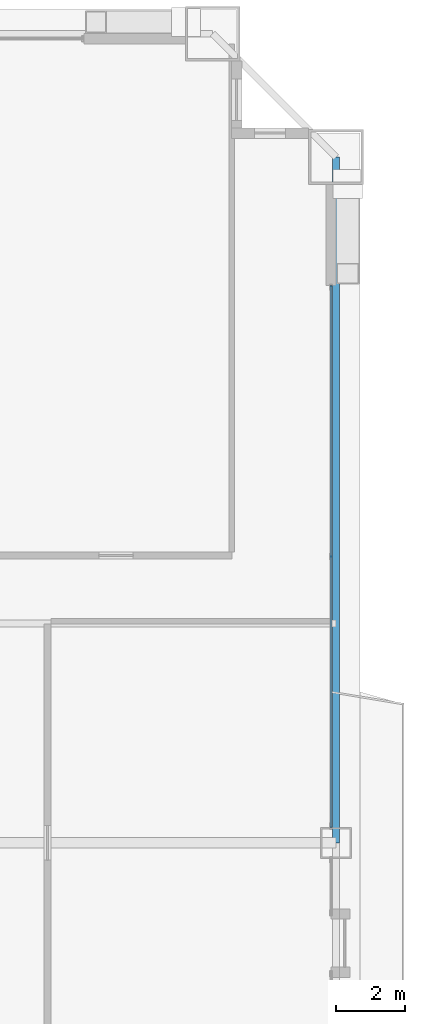
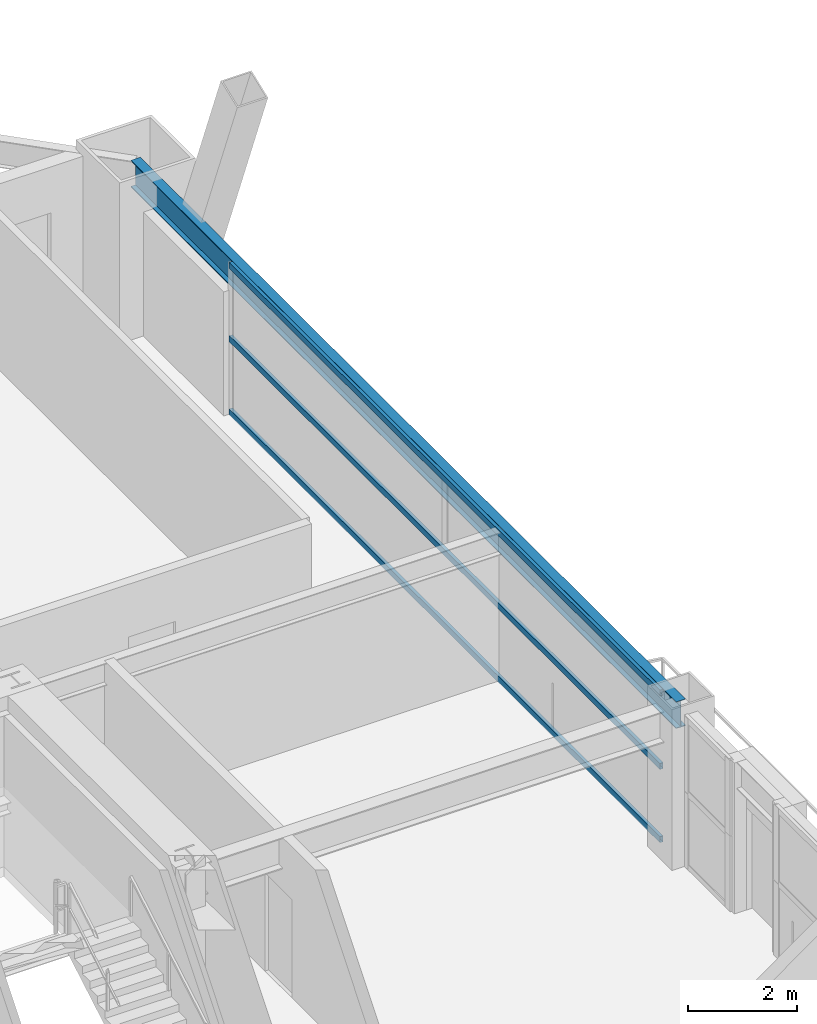
# One storey, part 33 of 43: 3 members, 1 beam, 1 element without a shape of its own.
"""IFC4 building model written with IfcOpenShell, lengths in metres."""

from ifc_helpers import new_model, si_unit, direction, frame, origin, origin_2d, place, context, subcontext, project, spatial, hollow_rectangle, i_section, extrude, source, transform, mapped, material, layer, layer_set, material_profile, profile_set, type_object, element, aggregate, save


model = new_model("IFC4")

# Units and contexts
model_context = context("Model", 3, precision=1e-05, world=origin(), true_north=direction((0.0, 1.0)))
body_context = subcontext(model_context, "Body", "Model", "MODEL_VIEW")
ifc_project = project(units=[si_unit("LENGTHUNIT", "METRE"), si_unit("AREAUNIT", "SQUARE_METRE"), si_unit("VOLUMEUNIT", "CUBIC_METRE"), si_unit("PLANEANGLEUNIT", "RADIAN"), si_unit("MASSUNIT", "GRAM", prefix="KILO"), si_unit("THERMODYNAMICTEMPERATUREUNIT", "KELVIN"), si_unit("POWERUNIT", "WATT")], contexts=[model_context])

# Site, building, storey
site_placement = place(None, origin())
site = spatial("IfcSite", under=ifc_project, at=site_placement, CompositionType="ELEMENT")
building_placement = place(site_placement, origin())
building = spatial("IfcBuilding", under=site, at=building_placement, Name="Yuzanri Waterfront Tower", CompositionType="ELEMENT")
storey_placement = place(building_placement, frame((0.0, 0.0, 101.0)))
storey = spatial("IfcBuildingStorey", under=building, at=storey_placement, Name="L26", CompositionType="ELEMENT", Elevation=101.0)

# Beam
ifc_material_1 = material(Name="Steel Q355B", Category="steel")
ifc_material_profile_1 = material_profile(ifc_material_1, i_section(OverallWidth=0.199951171875, OverallDepth=0.60009765625, WebThickness=0.010986328125, FlangeThickness=0.01708984375, at=origin_2d()), Name="HN 600x200x11x17")
ifc_profile_set_1 = profile_set([ifc_material_profile_1], Name="Steel Q355B")
beam_type = type_object("IfcBeamType", Name="Perimeter Spandrel Q355B HN 600x200", PredefinedType="SPANDREL", material=ifc_profile_set_1)
shared_shape_1 = source(origin(), body_context, "Body", "SweptSolid", [
    extrude(i_section(OverallWidth=0.199951171875, OverallDepth=0.60009765625, WebThickness=0.010986328125, FlangeThickness=0.01708984375, at=origin_2d()), origin(), (0.0, 0.0, 1.0), 20.0),
])
beam_placement = place(storey_placement, frame((60.60009765625, 25.800048828125, 3.080078125), z_axis=(0.0, 1.0, 0.0), x_axis=(-1.0, 0.0, 0.0)))
element("IfcBeam", 1, at=beam_placement, inside=storey, type_object=beam_type, Name="L26 Perimeter Spandrel E2-E3", PredefinedType="SPANDREL", context=body_context, shape_type="MappedRepresentation", body=[
    mapped(shared_shape_1, transform((0.0, 0.0, 0.0), scale=1.0)),
])

# Curtain wall, members
ifc_material_2 = material(Name="Anodized Architectural Bronze", Category="metal")
ifc_layer = layer(ifc_material_2, 0.159912109375)
ifc_layer_set = layer_set([ifc_layer], Name="Anodized Architectural Bronze")
curtain_wall_type = type_object("IfcCurtainWallType", Name="Anodized Bronze Hotel Upper-Tier Solar-Control Unitized Curtain Wall 7800", PredefinedType="NOTDEFINED", material=ifc_layer_set)
curtain_wall_placement = place(storey_placement, origin())
curtain_wall = element("IfcCurtainWall", 2, at=curtain_wall_placement, inside=storey, type_object=curtain_wall_type, Name="L26 Curtain Wall CW-L26-ER", PredefinedType="NOTDEFINED")
ifc_material_3 = material(Name="Anodized Architectural Bronze", Category="metal")
ifc_material_profile_2 = material_profile(ifc_material_3, hollow_rectangle(XDim=0.070068359375, YDim=0.135009765625, WallThickness=0.00341796875, at=origin_2d()), Name="CWT 70x135")
ifc_profile_set_2 = profile_set([ifc_material_profile_2], Name="Anodized Architectural Bronze")
member_type = type_object("IfcMemberType", Name="Anodized Bronze Standard Curtain-Wall Transom 70x135", PredefinedType="USERDEFINED", material=ifc_profile_set_2)
shared_shape_2 = source(origin(), body_context, "Body", "SweptSolid", [
    extrude(hollow_rectangle(XDim=0.070068359375, YDim=0.135009765625, WallThickness=0.00341796875, at=origin_2d()), origin(), (0.0, 0.0, 1.0), 15.800048828125),
])
member_1_placement = place(storey_placement, frame((60.449951171875, 26.25, 0.050048828125), z_axis=(0.0, 1.0, 0.0), x_axis=(-1.0, 0.0, 0.0)))
member_1 = element("IfcMember", 3, at=member_1_placement, type_object=member_type, Name="CW-L26-ER Transom 1", ObjectType="TRANSOM", PredefinedType="USERDEFINED", context=body_context, shape_type="MappedRepresentation", body=[
    mapped(shared_shape_2, transform((0.0, 0.0, 0.0), scale=1.0)),
])
member_2_placement = place(storey_placement, frame((60.449951171875, 26.25, 1.68994140625), z_axis=(0.0, 1.0, 0.0), x_axis=(-1.0, 0.0, 0.0)))
member_2 = element("IfcMember", 4, at=member_2_placement, type_object=member_type, Name="CW-L26-ER Transom 2", ObjectType="TRANSOM", PredefinedType="USERDEFINED", context=body_context, shape_type="MappedRepresentation", body=[
    mapped(shared_shape_2, transform((0.0, 0.0, 0.0), scale=1.0)),
])
member_3_placement = place(storey_placement, frame((60.449951171875, 26.25, 3.330078125), z_axis=(0.0, 1.0, 0.0), x_axis=(-1.0, 0.0, 0.0)))
member_3 = element("IfcMember", 5, at=member_3_placement, type_object=member_type, Name="CW-L26-ER Transom 3", ObjectType="TRANSOM", PredefinedType="USERDEFINED", context=body_context, shape_type="MappedRepresentation", body=[
    mapped(shared_shape_2, transform((0.0, 0.0, 0.0), scale=1.0)),
])
aggregate(curtain_wall, [member_1, member_2, member_3])

save(model, "model.ifc")
